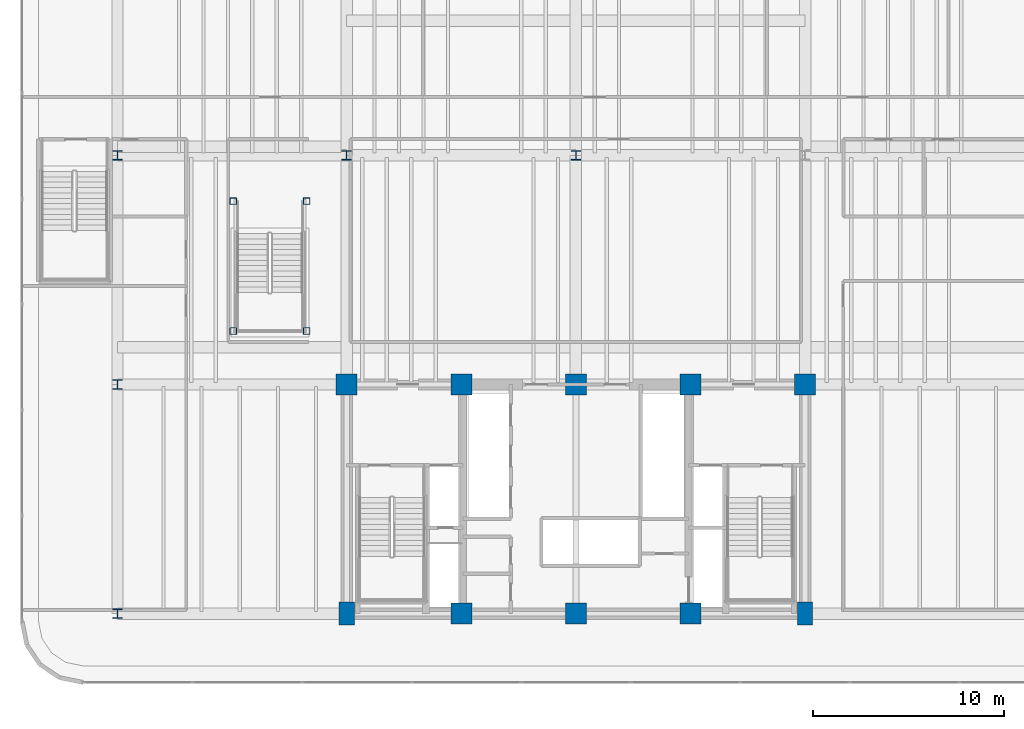
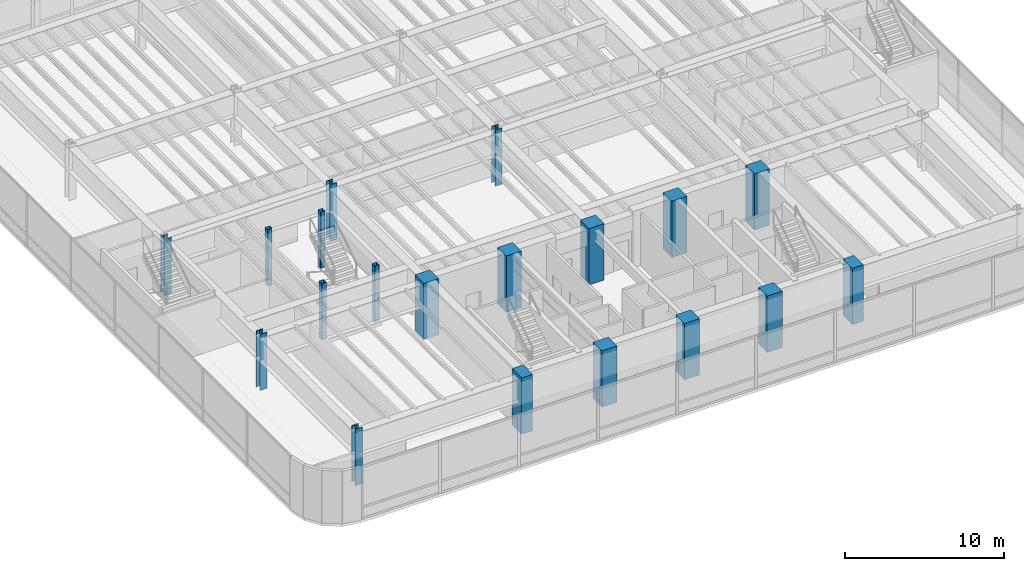
# One storey, part 1 of 19: 19 columns.
"""IFC4 building model written with IfcOpenShell, lengths in metres."""

from ifc_helpers import new_model, si_unit, direction, frame, origin, origin_2d, place, context, subcontext, project, spatial, rectangle, hollow_rectangle, i_section, extrude, source, transform, mapped, material, material_profile, profile_set, type_object, element, save


model = new_model("IFC4")

# Units and contexts
model_context = context("Model", 3, precision=1e-05, world=origin(), true_north=direction((0.0, 1.0)))
body_context = subcontext(model_context, "Body", "Model", "MODEL_VIEW")
ifc_project = project(units=[si_unit("LENGTHUNIT", "METRE"), si_unit("AREAUNIT", "SQUARE_METRE"), si_unit("VOLUMEUNIT", "CUBIC_METRE"), si_unit("PLANEANGLEUNIT", "RADIAN"), si_unit("MASSUNIT", "GRAM", prefix="KILO")], contexts=[model_context])

# Site, building, storey
site_placement = place(None, origin())
site = spatial("IfcSite", under=ifc_project, at=site_placement, CompositionType="ELEMENT")
building_placement = place(site_placement, origin())
building = spatial("IfcBuilding", under=site, at=building_placement, Name="Brelvock Crest Care Tower", CompositionType="ELEMENT")
storey_placement = place(building_placement, frame((0.0, 0.0, 18.360107421875)))
storey = spatial("IfcBuildingStorey", under=building, at=storey_placement, Name="L04", CompositionType="ELEMENT", Elevation=18.360107421875)

# Columns
ifc_material_1 = material(Name="Concrete S80 (80 MPa)", Category="concrete")
ifc_material_profile_1 = material_profile(ifc_material_1, rectangle(XDim=0.800048828125, YDim=1.199951171875, at=origin_2d()), Name="RC800x1200")
ifc_profile_set_1 = profile_set([ifc_material_profile_1], Name="Concrete S80 (80 MPa)")
column_type_1 = type_object("IfcColumnType", Name="COL-RC5", PredefinedType="COLUMN", material=ifc_profile_set_1)
shared_shape_1 = source(origin(), body_context, "Body", "SweptSolid", [
    extrude(rectangle(XDim=0.800048828125, YDim=1.199951171875, at=origin_2d()), origin(), (0.0, 0.0, 1.0), 4.31982421875),
])
for number, where, z_axis, x_axis, name in (
    (1, (24.0, 6.0, 0.0), (0.0, 0.0, 1.0), (1.0, 0.0, 0.0), "L04 Core Column CC-01"),
    (2, (48.0, 6.0, 0.0), (0.0, 0.0, 1.0), (1.0, 0.0, 0.0), "L04 Core Column CC-05"),
):
    element("IfcColumn", number, at=place(storey_placement, frame(where, z_axis=z_axis, x_axis=x_axis)), inside=storey, type_object=column_type_1, Name=name, PredefinedType="COLUMN", context=body_context, shape_type="MappedRepresentation", body=[
        mapped(shared_shape_1, transform((0.0, 0.0, 0.0), x_axis=(1.0, 0.0, 0.0), y_axis=(0.0, 1.0, 0.0), z_axis=(0.0, 0.0, 1.0), scale=1.0)),
    ])
ifc_material_profile_2 = material_profile(ifc_material_1, rectangle(XDim=1.10009765625, YDim=1.10009765625, at=origin_2d()), Name="RC1100x1100")
ifc_profile_set_2 = profile_set([ifc_material_profile_2], Name="Concrete S80 (80 MPa)")
column_type_2 = type_object("IfcColumnType", Name="COL-RC1", PredefinedType="COLUMN", material=ifc_profile_set_2)
shared_shape_2 = source(origin(), body_context, "Body", "SweptSolid", [
    extrude(rectangle(XDim=1.10009765625, YDim=1.10009765625, at=origin_2d()), origin(), (0.0, 0.0, 1.0), 4.31982421875),
])
for number, where, z_axis, x_axis, name in (
    (3, (30.0, 6.0, 0.0), (0.0, 0.0, 1.0), (1.0, 0.0, 0.0), "L04 Core Column CC-02"),
    (4, (36.0, 6.0, 0.0), (0.0, 0.0, 1.0), (1.0, 0.0, 0.0), "L04 Core Column CC-03"),
    (5, (42.0, 6.0, 0.0), (0.0, 0.0, 1.0), (1.0, 0.0, 0.0), "L04 Core Column CC-04"),
    (6, (24.0, 18.0, 0.0), (0.0, 0.0, 1.0), (1.0, 0.0, 0.0), "L04 Core Column CC-06"),
    (7, (30.0, 18.0, 0.0), (0.0, 0.0, 1.0), (1.0, 0.0, 0.0), "L04 Core Column CC-07"),
    (8, (36.0, 18.0, 0.0), (0.0, 0.0, 1.0), (1.0, 0.0, 0.0), "L04 Core Column CC-08"),
    (9, (42.0, 18.0, 0.0), (0.0, 0.0, 1.0), (1.0, 0.0, 0.0), "L04 Core Column CC-09"),
    (10, (48.0, 18.0, 0.0), (0.0, 0.0, 1.0), (1.0, 0.0, 0.0), "L04 Core Column CC-10"),
):
    element("IfcColumn", number, at=place(storey_placement, frame(where, z_axis=z_axis, x_axis=x_axis)), inside=storey, type_object=column_type_2, Name=name, PredefinedType="COLUMN", context=body_context, shape_type="MappedRepresentation", body=[
        mapped(shared_shape_2, transform((0.0, 0.0, 0.0), x_axis=(1.0, 0.0, 0.0), y_axis=(0.0, 1.0, 0.0), z_axis=(0.0, 0.0, 1.0), scale=1.0)),
    ])
ifc_material_2 = material(Name="Steel Grade 350", Category="steel")
ifc_material_profile_3 = material_profile(ifc_material_2, i_section(OverallWidth=0.5, OverallDepth=0.5, WebThickness=0.02197265625, FlangeThickness=0.034912109375, at=origin_2d()), Name="500WC340")
ifc_profile_set_3 = profile_set([ifc_material_profile_3], Name="Steel Grade 350")
column_type_3 = type_object("IfcColumnType", Name="COL-PC2", PredefinedType="COLUMN", material=ifc_profile_set_3)
shared_shape_3 = source(origin(), body_context, "Body", "SweptSolid", [
    extrude(i_section(OverallWidth=0.5, OverallDepth=0.5, WebThickness=0.02197265625, FlangeThickness=0.034912109375, at=origin_2d()), origin(), (0.0, 0.0, 1.0), 4.31982421875),
])
for number, where, z_axis, x_axis, name in (
    (11, (12.0, 6.0, 0.0), (0.0, 0.0, 1.0), (1.0, 0.0, 0.0), "L04 Podium Column PC-01"),
    (12, (12.0, 18.0, 0.0), (0.0, 0.0, 1.0), (1.0, 0.0, 0.0), "L04 Podium Column PC-03"),
    (13, (12.0, 30.0, 0.0), (0.0, 0.0, 1.0), (1.0, 0.0, 0.0), "L04 Podium Column PC-05"),
    (14, (24.0, 30.0, 0.0), (0.0, 0.0, 1.0), (1.0, 0.0, 0.0), "L04 Podium Column PC-06"),
    (15, (36.0, 30.0, 0.0), (0.0, 0.0, 1.0), (1.0, 0.0, 0.0), "L04 Podium Column PC-07"),
):
    element("IfcColumn", number, at=place(storey_placement, frame(where, z_axis=z_axis, x_axis=x_axis)), inside=storey, type_object=column_type_3, Name=name, PredefinedType="COLUMN", context=body_context, shape_type="MappedRepresentation", body=[
        mapped(shared_shape_3, transform((0.0, 0.0, 0.0), x_axis=(1.0, 0.0, 0.0), y_axis=(0.0, 1.0, 0.0), z_axis=(0.0, 0.0, 1.0), scale=1.0)),
    ])
ifc_material_profile_4 = material_profile(ifc_material_2, hollow_rectangle(XDim=0.35009765625, YDim=0.35009765625, WallThickness=0.01611328125, OuterFilletRadius=0.031982421875, at=origin_2d()), Name="SHS350x350x16.0")
ifc_profile_set_4 = profile_set([ifc_material_profile_4], Name="Steel Grade 350")
column_type_4 = type_object("IfcColumnType", Name="COL-CR2", PredefinedType="COLUMN", material=ifc_profile_set_4)
shared_shape_4 = source(origin(), body_context, "Body", "SweptSolid", [
    extrude(hollow_rectangle(XDim=0.35009765625, YDim=0.35009765625, WallThickness=0.01611328125, OuterFilletRadius=0.031982421875, at=origin_2d()), origin(), (0.0, 0.0, 1.0), 4.31982421875),
])
for number, where, z_axis, x_axis, name in (
    (16, (18.06005859375, 20.800048828125, 0.0), (0.0, 0.0, 1.0), (1.0, 0.0, 0.0), "L04 Atrium Stair ST-5 Support Post SW"),
    (17, (21.89990234375, 20.800048828125, 0.0), (0.0, 0.0, 1.0), (1.0, 0.0, 0.0), "L04 Atrium Stair ST-5 Support Post SE"),
    (18, (18.06005859375, 27.60009765625, 0.0), (0.0, 0.0, 1.0), (1.0, 0.0, 0.0), "L04 Atrium Stair ST-5 Support Post NW"),
    (19, (21.89990234375, 27.60009765625, 0.0), (0.0, 0.0, 1.0), (1.0, 0.0, 0.0), "L04 Atrium Stair ST-5 Support Post NE"),
):
    element("IfcColumn", number, at=place(storey_placement, frame(where, z_axis=z_axis, x_axis=x_axis)), inside=storey, type_object=column_type_4, Name=name, PredefinedType="COLUMN", context=body_context, shape_type="MappedRepresentation", body=[
        mapped(shared_shape_4, transform((0.0, 0.0, 0.0), x_axis=(1.0, 0.0, 0.0), y_axis=(0.0, 1.0, 0.0), z_axis=(0.0, 0.0, 1.0), scale=1.0)),
    ])

save(model, "model.ifc")
